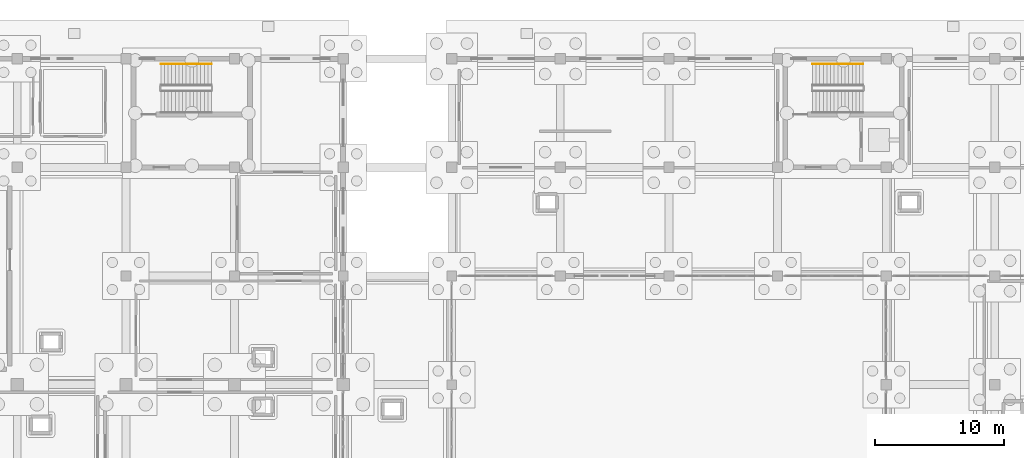
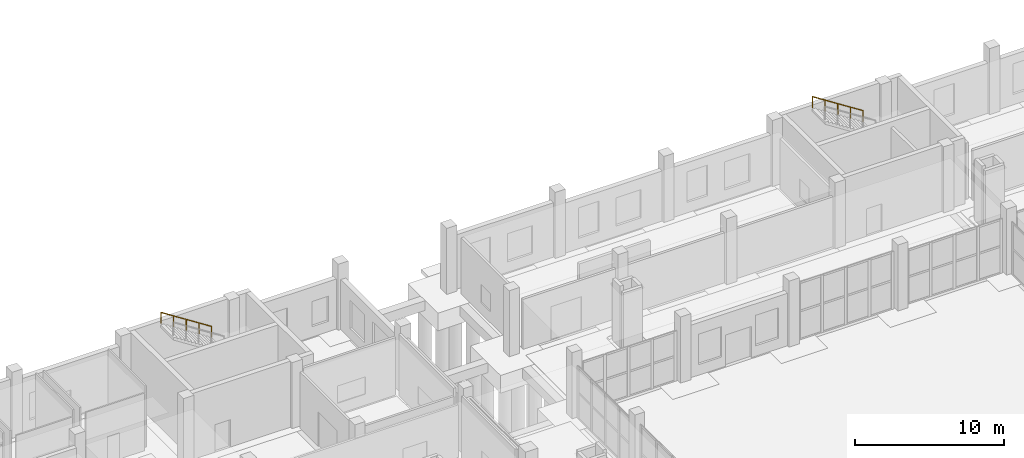
# One storey, part 60 of 65: 2 railings.
"""IFC4 building model written with IfcOpenShell, lengths in metres."""

import ifcopenshell
import ifcopenshell.guid

model = None  # the IFC model being written
_history = None  # IfcOwnerHistory: only IFC2X3 demands one
_inside = {}  # id of a spatial element -> (the spatial element, [elements in it])
_under = {}  # id of a project, library or spatial element -> (it, [spatial elements below it])
_declared = {}  # id of a project -> (the project, [libraries it declares])
_typed = {}  # id of a type object -> (the type object, [elements of that type])
_made_of = {}  # id of a material, layer set ... -> (it, [elements and type objects made of it])


def new_model(schema):
    """Start an empty IFC model of exactly this schema.

    Asked for "IFC4X3", IfcOpenShell would pick the latest addendum, in which some entities
    have other attributes; the version numbers below select the first issue.
    IFC2X3 requires an IfcOwnerHistory on every rooted entity: one is made here for all.
    """
    global model, _history
    if schema == "IFC4X3":
        model = ifcopenshell.file(schema_version=(4, 3, 0, 0))
    else:
        model = ifcopenshell.file(schema=schema)
    _inside.clear()
    _under.clear()
    _declared.clear()
    _typed.clear()
    _made_of.clear()
    _history = None
    if model.schema == "IFC2X3":
        org = make("IfcOrganization", Name="unknown")
        user = make(
            "IfcPersonAndOrganization",
            ThePerson=make("IfcPerson", FamilyName="unknown"),
            TheOrganization=org,
        )
        app = make(
            "IfcApplication",
            ApplicationDeveloper=org,
            Version="unknown",
            ApplicationFullName="unknown",
            ApplicationIdentifier="unknown",
        )
        _history = make(
            "IfcOwnerHistory",
            OwningUser=user,
            OwningApplication=app,
            ChangeAction="ADDED",
            CreationDate=0,
        )
    return model


def make(cls, **values):
    """One entity of the class cls with the attributes given. An attribute that is None is left unset."""
    return model.create_entity(
        cls, **{name: value for name, value in values.items() if value is not None}
    )


def rooted(cls, **values):
    """An entity with a GlobalId (a new one), such as an element, a storey or a relation."""
    return make(cls, GlobalId=ifcopenshell.guid.new(), OwnerHistory=_history, **values)


def si_unit(unit_type, name, prefix=None):
    """IfcSIUnit, for example si_unit("LENGTHUNIT", "METRE", prefix="MILLI")."""
    return make("IfcSIUnit", UnitType=unit_type, Prefix=prefix, Name=name)


def assignment(units):
    """IfcUnitAssignment: the units of a project."""
    return None if units is None else make("IfcUnitAssignment", Units=units)


def point(xyz):
    """IfcCartesianPoint."""
    return None if xyz is None else make("IfcCartesianPoint", Coordinates=xyz)


def direction(xyz):
    """IfcDirection."""
    return None if xyz is None else make("IfcDirection", DirectionRatios=xyz)


def frame(location, z_axis=None, x_axis=None):
    """IfcAxis2Placement3D, a coordinate frame: its origin and axes. An axis left out is left unset."""
    return make(
        "IfcAxis2Placement3D",
        Location=point(location),
        Axis=direction(z_axis),
        RefDirection=direction(x_axis),
    )


def frame_2d(location, x_axis=None):
    """IfcAxis2Placement2D, a coordinate frame in the plane: its origin and x axis."""
    return make(
        "IfcAxis2Placement2D", Location=point(location), RefDirection=direction(x_axis)
    )


def origin():
    """The frame at (0, 0, 0) with its axes left unset."""
    return frame((0.0, 0.0, 0.0))


def origin_2d():
    """The frame at (0, 0) in the plane with its x axis left unset."""
    return frame_2d((0.0, 0.0))


def place(relative_to, where):
    """IfcLocalPlacement: puts the frame where relative to a parent placement (None: the world)."""
    return make(
        "IfcLocalPlacement", PlacementRelTo=relative_to, RelativePlacement=where
    )


def context(
    kind, dimensions, precision=None, world=None, true_north=None, identifier=None
):
    """IfcGeometricRepresentationContext, for example the 3D "Model" context."""
    return make(
        "IfcGeometricRepresentationContext",
        ContextIdentifier=identifier,
        ContextType=kind,
        CoordinateSpaceDimension=dimensions,
        Precision=precision,
        WorldCoordinateSystem=world,
        TrueNorth=true_north,
    )


def subcontext(parent, identifier, kind, view, scale=None):
    """IfcGeometricRepresentationSubContext, for example "Body" below "Model"."""
    return make(
        "IfcGeometricRepresentationSubContext",
        ContextIdentifier=identifier,
        ContextType=kind,
        ParentContext=parent,
        TargetScale=scale,
        TargetView=view,
    )


def project(units=None, contexts=None):
    """IfcProject with its units and contexts."""
    return rooted(
        "IfcProject",
        Name="project",
        RepresentationContexts=contexts,
        UnitsInContext=assignment(units),
    )


def spatial(cls, under=None, at=None, **own):
    """A site, building, storey or space (cls), placed at a placement, below another one or the project."""
    s = rooted(cls, ObjectPlacement=at, **own)
    if under is not None:
        _under.setdefault(under.id(), (under, []))[1].append(s)
    return s


def profile(cls, at=None, kind="AREA", **sizes):
    """A parametric profile (cls). Its sizes go by their IFC names, for example OverallWidth=200.0."""
    return make(cls, ProfileType=kind, Position=at, **sizes)


def circle(**sizes):
    """IfcCircleProfileDef."""
    return profile("IfcCircleProfileDef", **sizes)


def extrude(swept, where, along, depth):
    """IfcExtrudedAreaSolid: the profile swept, set in the frame where, extruded along a direction by depth."""
    return make(
        "IfcExtrudedAreaSolid",
        SweptArea=swept,
        Position=where,
        ExtrudedDirection=direction(along),
        Depth=depth,
    )


def shape(context_of_items, identifier, shape_type, items):
    """IfcShapeRepresentation: the items that make up one representation, for example the "Body"."""
    return make(
        "IfcShapeRepresentation",
        ContextOfItems=context_of_items,
        RepresentationIdentifier=identifier,
        RepresentationType=shape_type,
        Items=items,
    )


def material(Name=None, Category=None):
    """IfcMaterial."""
    return make("IfcMaterial", Name=Name, Category=Category)


def layer(
    of_material, thickness, ventilated=None, Name=None, Category=None, Priority=None
):
    """IfcMaterialLayer: one layer of a wall or slab, of a material (None: an air gap)."""
    return make(
        "IfcMaterialLayer",
        Material=of_material,
        LayerThickness=thickness,
        IsVentilated=ventilated,
        Name=Name,
        Category=Category,
        Priority=Priority,
    )


def layer_set(layers, Name=None):
    """IfcMaterialLayerSet."""
    return make("IfcMaterialLayerSet", MaterialLayers=layers, LayerSetName=Name)


def made_of(thing, what):
    """Note that an element or type object is made of a material, layer set ...; save() writes the relation."""
    if what is not None:
        _made_of.setdefault(what.id(), (what, []))[1].append(thing)
    return thing


def type_object(cls, material=None, **own):
    """A type object (cls), such as IfcWallType, which elements share."""
    return made_of(rooted(cls, **own), material)


def element(
    cls,
    number,
    at=None,
    inside=None,
    cuts=None,
    type_object=None,
    material=None,
    context=None,
    identifier="Body",
    shape_type=None,
    held_by="IfcProductDefinitionShape",
    body=None,
    shapes=None,
    **own,
):
    """One element of the class cls, such as IfcWall. Its Tag is "e" and its number.

    at: its placement. inside: the storey or other place that contains it. cuts: it is an
    opening in that element (IfcRelVoidsElement). A single representation is given by context,
    identifier, shape_type and body (its items); several are given by shapes. held_by: the class
    of the entity that holds the representations. save() writes the other relations.
    """
    e = rooted(cls, Tag="e%d" % number, ObjectPlacement=at, **own)
    if body is not None:
        shapes = [shape(context, identifier, shape_type, body)]
    if shapes is not None:
        e.Representation = make(held_by, Representations=shapes)
    if inside is not None:
        _inside.setdefault(inside.id(), (inside, []))[1].append(e)
    if cuts is not None:
        rooted(
            "IfcRelVoidsElement", RelatingBuildingElement=cuts, RelatedOpeningElement=e
        )
    if type_object is not None:
        _typed.setdefault(type_object.id(), (type_object, []))[1].append(e)
    return made_of(e, material)


def aggregate(whole, parts):
    """IfcRelAggregates: a whole, such as a stair, and the parts it consists of."""
    return rooted("IfcRelAggregates", RelatingObject=whole, RelatedObjects=parts)


def save(model, path):
    """Write the relations noted so far, then the file.

    IfcRelAggregates (storeys below a building ...), IfcRelContainedInSpatialStructure (elements
    in a storey), IfcRelDefinesByType, IfcRelAssociatesMaterial and IfcRelDeclares: one each for
    every whole, place, type object, material and project.
    """
    for whole, parts in _under.values():
        aggregate(whole, parts)
    for where, things in _inside.values():
        rooted(
            "IfcRelContainedInSpatialStructure",
            RelatedElements=things,
            RelatingStructure=where,
        )
    for kind, things in _typed.values():
        rooted("IfcRelDefinesByType", RelatedObjects=things, RelatingType=kind)
    for what, things in _made_of.values():
        rooted("IfcRelAssociatesMaterial", RelatedObjects=things, RelatingMaterial=what)
    for by, libraries in _declared.values():
        rooted("IfcRelDeclares", RelatingContext=by, RelatedDefinitions=libraries)
    model.write(path)


model = new_model("IFC4")

# Units and contexts
model_context = context("Model", 3, precision=1e-05, world=origin(), true_north=direction((0.0, 1.0)))
body_context = subcontext(model_context, "Body", "Model", "MODEL_VIEW")
ifc_project = project(units=[si_unit("LENGTHUNIT", "METRE"), si_unit("AREAUNIT", "SQUARE_METRE"), si_unit("VOLUMEUNIT", "CUBIC_METRE"), si_unit("PLANEANGLEUNIT", "RADIAN"), si_unit("MASSUNIT", "GRAM", prefix="KILO")], contexts=[model_context])

# Site, building, storey
site_placement = place(None, origin())
site = spatial("IfcSite", under=ifc_project, at=site_placement, CompositionType="ELEMENT")
building_placement = place(site_placement, origin())
building = spatial("IfcBuilding", under=site, at=building_placement, Name="Zulmaris Art Gallery", CompositionType="ELEMENT")
storey_placement = place(building_placement, origin())
storey = spatial("IfcBuildingStorey", under=building, at=storey_placement, Name="L00", CompositionType="ELEMENT", Elevation=0.0)

# Railings
ifc_material = material(Name="Brushed Bronze Handrail", Category="steel")
ifc_layer = layer(ifc_material, 0.048095703125)
ifc_layer_set = layer_set([ifc_layer], Name="Brushed Bronze Handrail")
railing_type = type_object("IfcRailingType", Name="RAIL-STHND", PredefinedType="HANDRAIL", material=ifc_layer_set)
railing_1_placement = place(storey_placement, frame((123.02001953125, 75.199951171875, 2.8798828125)))
element("IfcRailing", 1, at=railing_1_placement, inside=storey, type_object=railing_type, Name="L00 ST5 stair handrail 2", PredefinedType="HANDRAIL", context=body_context, shape_type="SweptSolid", body=[
    extrude(circle(Radius=0.02392578125, at=origin_2d()), frame((0.0, 0.0, 0.8759765625), z_axis=(-0.841171666519, 0.0, 0.540768182723), x_axis=(0.0, -1.0, 0.0)), (0.0, 0.0, 1.0), 4.66015625),
    extrude(circle(Radius=0.02099609375, at=origin_2d()), origin(), (0.0, 0.0, 1.0), 0.851806640625),
    extrude(circle(Radius=0.02099609375, at=origin_2d()), frame((-0.97998046875, 0.0, 0.6298828125)), (0.0, 0.0, 1.0), 0.851806640625),
    extrude(circle(Radius=0.02099609375, at=origin_2d()), frame((-1.9599609375, 0.0, 1.260009765625)), (0.0, 0.0, 1.0), 0.851806640625),
    extrude(circle(Radius=0.02099609375, at=origin_2d()), frame((-2.93994140625, 0.0, 1.89013671875)), (0.0, 0.0, 1.0), 0.851806640625),
    extrude(circle(Radius=0.02099609375, at=origin_2d()), frame((-3.919921875, 0.0, 2.52001953125)), (0.0, 0.0, 1.0), 0.851806640625),
])
railing_2_placement = place(storey_placement, frame((72.6201171875, 75.199951171875, 2.8798828125)))
element("IfcRailing", 2, at=railing_2_placement, inside=storey, type_object=railing_type, Name="L00 ST7 stair handrail 2", PredefinedType="HANDRAIL", context=body_context, shape_type="SweptSolid", body=[
    extrude(circle(Radius=0.02392578125, at=origin_2d()), frame((0.0, 0.0, 0.8759765625), z_axis=(-0.841186985886, 0.0, 0.540744352514), x_axis=(0.0, -1.0, 0.0)), (0.0, 0.0, 1.0), 4.660400390625),
    extrude(circle(Radius=0.02099609375, at=origin_2d()), origin(), (0.0, 0.0, 1.0), 0.851806640625),
    extrude(circle(Radius=0.02099609375, at=origin_2d()), frame((-0.97998046875, 0.0, 0.6298828125)), (0.0, 0.0, 1.0), 0.851806640625),
    extrude(circle(Radius=0.02099609375, at=origin_2d()), frame((-1.9599609375, 0.0, 1.260009765625)), (0.0, 0.0, 1.0), 0.851806640625),
    extrude(circle(Radius=0.02099609375, at=origin_2d()), frame((-2.940185546875, 0.0, 1.89013671875)), (0.0, 0.0, 1.0), 0.851806640625),
    extrude(circle(Radius=0.02099609375, at=origin_2d()), frame((-3.920166015625, 0.0, 2.52001953125)), (0.0, 0.0, 1.0), 0.851806640625),
])

save(model, "model.ifc")
